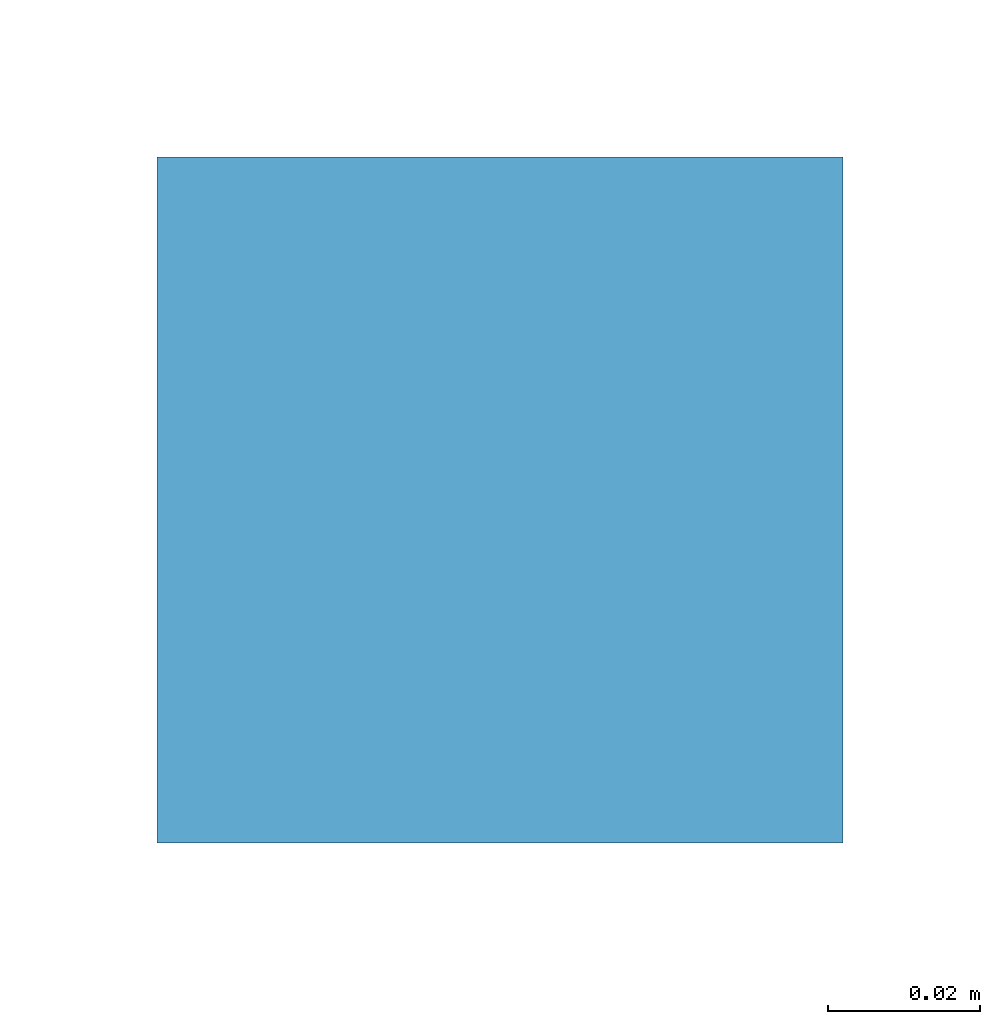
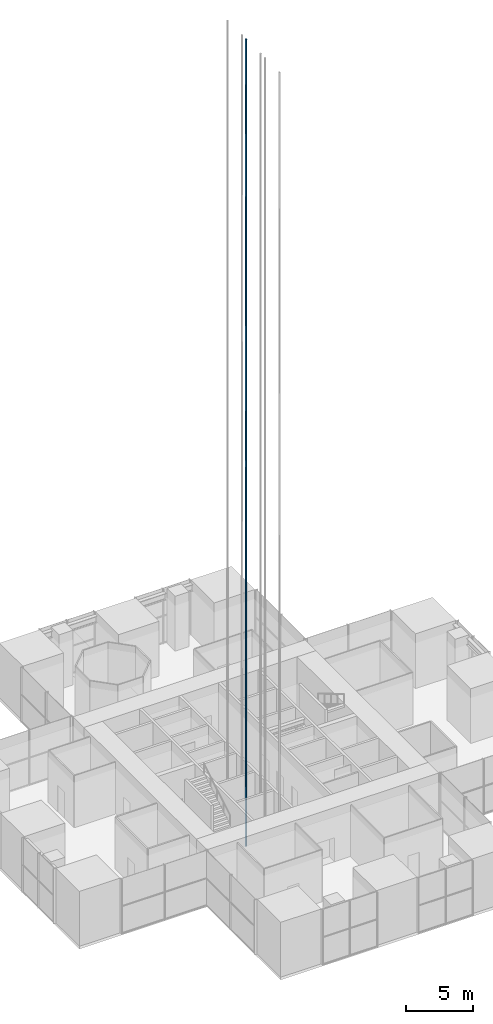
# One storey, part 11 of 16: 1 discrete accessory.
"""IFC4 building model written with IfcOpenShell, lengths in metres."""

from ifc_helpers import new_model, si_unit, direction, frame, origin, origin_2d, place, context, subcontext, project, spatial, rectangle, extrude, element, save


model = new_model("IFC4")

# Units and contexts
model_context = context("Model", 3, precision=1e-05, world=origin(), true_north=direction((0.0, 1.0)))
body_context = subcontext(model_context, "Body", "Model", "MODEL_VIEW")
ifc_project = project(units=[si_unit("LENGTHUNIT", "METRE"), si_unit("AREAUNIT", "SQUARE_METRE"), si_unit("VOLUMEUNIT", "CUBIC_METRE"), si_unit("PLANEANGLEUNIT", "RADIAN"), si_unit("MASSUNIT", "GRAM", prefix="KILO")], contexts=[model_context])

# Site, building, storey
site_placement = place(None, origin())
site = spatial("IfcSite", under=ifc_project, at=site_placement, CompositionType="ELEMENT")
building_placement = place(site_placement, origin())
building = spatial("IfcBuilding", under=site, at=building_placement, Name="Svetlomir Tower", CompositionType="ELEMENT")
storey_placement = place(building_placement, frame((0.0, 0.0, 91.5)))
storey = spatial("IfcBuildingStorey", under=building, at=storey_placement, Name="L21", CompositionType="ELEMENT", Elevation=91.5)

# Discrete accessory
discrete_accessory_placement = place(storey_placement, frame((18.300048828125, 17.77490234375, -1.400146484375), z_axis=(0.0, 0.0, 1.0), x_axis=(1.0, 0.0, 0.0)))
element("IfcDiscreteAccessory", 1, at=discrete_accessory_placement, inside=storey, Name="Lift LB2 guide rail 2", ObjectType="LIFT GUIDE RAIL", PredefinedType="USERDEFINED", context=body_context, shape_type="SweptSolid", body=[
    extrude(rectangle(XDim=0.090087890625, YDim=0.090087890625, at=origin_2d()), origin(), (0.0, 0.0, 1.0), 73.60009765625),
])

save(model, "model.ifc")
